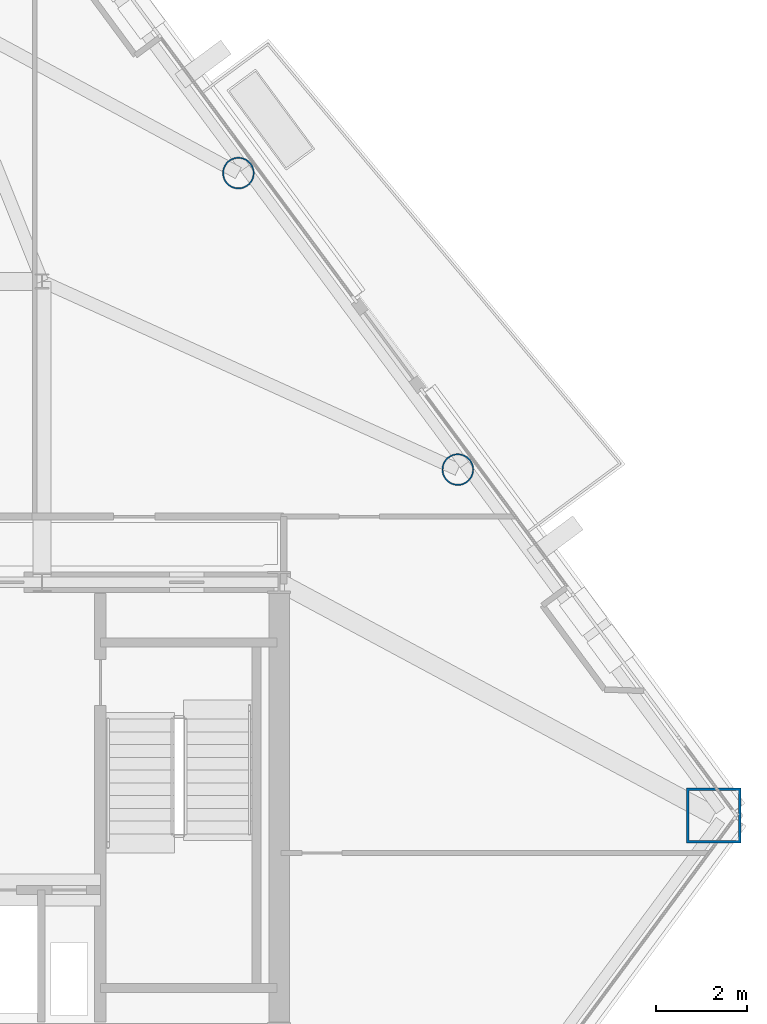
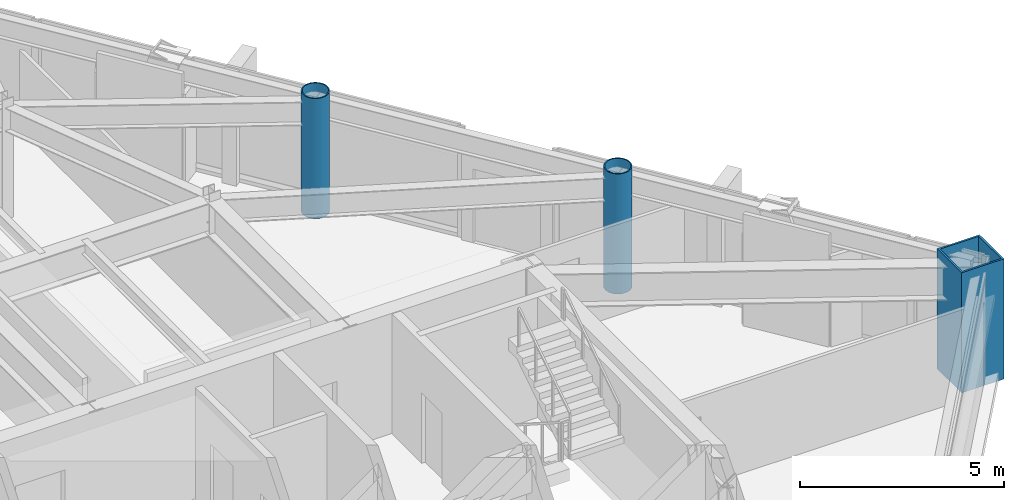
# One storey, part 2 of 13: 3 columns.
"""IFC4 building model written with IfcOpenShell, lengths in metres."""

from ifc_helpers import new_model, si_unit, direction, frame, origin, origin_2d, place, context, subcontext, project, spatial, hollow_rectangle, hollow_circle, extrude, material, material_profile, profile_set, type_object, element, save


model = new_model("IFC4")

# Units and contexts
model_context = context("Model", 3, precision=1e-05, world=origin(), true_north=direction((0.0, 1.0)))
body_context = subcontext(model_context, "Body", "Model", "MODEL_VIEW")
ifc_project = project(units=[si_unit("LENGTHUNIT", "METRE"), si_unit("AREAUNIT", "SQUARE_METRE"), si_unit("VOLUMEUNIT", "CUBIC_METRE"), si_unit("PLANEANGLEUNIT", "RADIAN"), si_unit("MASSUNIT", "GRAM", prefix="KILO")], contexts=[model_context])

# Site, building, storey
site_placement = place(None, origin())
site = spatial("IfcSite", under=ifc_project, at=site_placement, CompositionType="ELEMENT")
building_placement = place(site_placement, origin())
building = spatial("IfcBuilding", under=site, at=building_placement, Name="Talgorran Terracotta Tower", CompositionType="ELEMENT")
storey_placement = place(building_placement, frame((0.0, 0.0, 106.800048828125)))
storey = spatial("IfcBuildingStorey", under=building, at=storey_placement, Name="L27", CompositionType="ELEMENT", Elevation=106.800048828125)

# Columns
ifc_material = material(Name="Steel Grade 350 (350L0)", Category="steel")
ifc_material_profile_1 = material_profile(ifc_material, hollow_rectangle(XDim=1.199951171875, YDim=1.199951171875, WallThickness=0.054931640625, at=origin_2d()), Name="CFT1200X1200X55")
ifc_profile_set_1 = profile_set([ifc_material_profile_1], Name="Steel Grade 350 (350L0)")
column_type_1 = type_object("IfcColumnType", Name="COL_CFT_1200", PredefinedType="COLUMN", material=ifc_profile_set_1)
column_placement = place(storey_placement, frame((21.934326171875, -9.315673828125, 0.0), z_axis=(0.0, 0.0, 1.0), x_axis=(1.0, 0.0, 0.0)))
element("IfcColumn", 1, at=column_placement, inside=storey, type_object=column_type_1, Name="L27 Corner CFT Mega-Column MC4", PredefinedType="COLUMN", context=body_context, shape_type="SweptSolid", body=[
    extrude(hollow_rectangle(XDim=1.199951171875, YDim=1.199951171875, WallThickness=0.054931640625, at=origin_2d()), origin(), (0.0, 0.0, 1.0), 3.599853515625),
])
ifc_material_profile_2 = material_profile(ifc_material, hollow_circle(Radius=0.35009765625, WallThickness=0.030029296875, at=origin_2d()), Name="CHS700X30")
ifc_profile_set_2 = profile_set([ifc_material_profile_2], Name="Steel Grade 350 (350L0)")
column_type_2 = type_object("IfcColumnType", Name="COL_CHS_700", PredefinedType="COLUMN", material=ifc_profile_set_2)
for number, where, z_axis, x_axis, name in (
    (2, (16.31884765625, -1.728515625, 0.0), (0.0, 0.0, 1.0), (1.0, 0.0, 0.0), "L27 Facet Perimeter Column FC3"),
    (3, (11.505615234375, 4.77490234375, 0.0), (0.0, 0.0, 1.0), (1.0, 0.0, 0.0), "L27 Facet Perimeter Column FC4"),
):
    element("IfcColumn", number, at=place(storey_placement, frame(where, z_axis=z_axis, x_axis=x_axis)), inside=storey, type_object=column_type_2, Name=name, PredefinedType="COLUMN", context=body_context, shape_type="SweptSolid", body=[
        extrude(hollow_circle(Radius=0.35009765625, WallThickness=0.030029296875, at=origin_2d()), origin(), (0.0, 0.0, 1.0), 3.599853515625),
    ])

save(model, "model.ifc")
